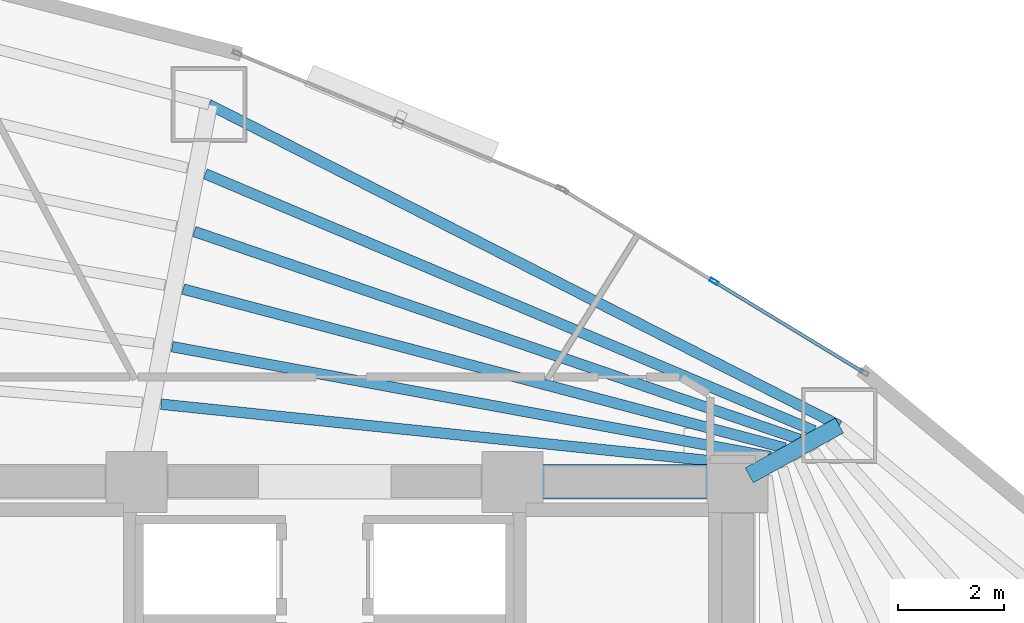
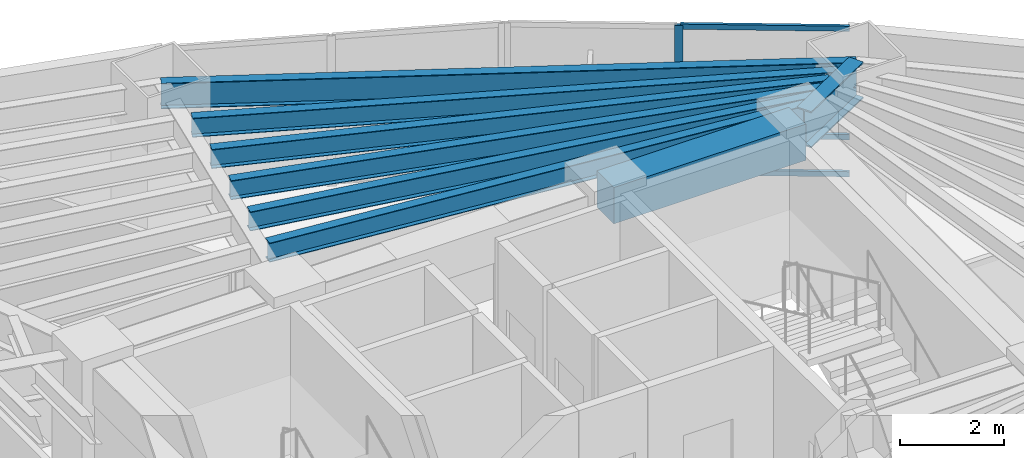
# One storey, part 10 of 18: 8 beams, 4 members, 1 element without a shape of its own.
"""IFC4 building model written with IfcOpenShell, lengths in metres."""

from ifc_helpers import new_model, si_unit, direction, frame, origin, origin_2d, place, context, subcontext, project, spatial, rectangle, hollow_rectangle, i_section, extrude, material, layer, layer_set, material_profile, profile_set, type_object, element, aggregate, save


model = new_model("IFC4")

# Units and contexts
model_context = context("Model", 3, precision=1e-05, world=origin(), true_north=direction((0.0, 1.0)))
body_context = subcontext(model_context, "Body", "Model", "MODEL_VIEW")
ifc_project = project(units=[si_unit("LENGTHUNIT", "METRE"), si_unit("AREAUNIT", "SQUARE_METRE"), si_unit("VOLUMEUNIT", "CUBIC_METRE"), si_unit("PLANEANGLEUNIT", "RADIAN"), si_unit("MASSUNIT", "GRAM", prefix="KILO")], contexts=[model_context])

# Site, building, storey
site_placement = place(None, origin())
site = spatial("IfcSite", under=ifc_project, at=site_placement, CompositionType="ELEMENT")
building_placement = place(site_placement, origin())
building = spatial("IfcBuilding", under=site, at=building_placement, Name="Menara Vayukalpa", CompositionType="ELEMENT")
storey_placement = place(building_placement, frame((0.0, 0.0, 31.320068359375)))
storey = spatial("IfcBuildingStorey", under=building, at=storey_placement, Name="L06", CompositionType="ELEMENT", Elevation=31.320068359375)

# Beams
ifc_material_1 = material(Name="Concrete C60/75", Category="concrete")
ifc_material_profile_1 = material_profile(ifc_material_1, rectangle(XDim=0.64990234375, YDim=0.85009765625, at=origin_2d()), Name="RC 650x850")
ifc_profile_set_1 = profile_set([ifc_material_profile_1], Name="Concrete C60/75")
beam_type_1 = type_object("IfcBeamType", Name="BM-CB1", PredefinedType="BEAM", material=ifc_profile_set_1)
beam_1_placement = place(storey_placement, frame((29.14990234375, 26.800048828125, 3.044921875), z_axis=(1.0, 0.0, 0.0), x_axis=(0.0, 1.0, 0.0)))
element("IfcBeam", 1, at=beam_1_placement, inside=storey, type_object=beam_type_1, Name="L06 Core Tie Beam CBR6", PredefinedType="BEAM", context=body_context, shape_type="SweptSolid", body=[
    extrude(rectangle(XDim=0.64990234375, YDim=0.85009765625, at=origin_2d()), origin(), (0.0, 0.0, 1.0), 4.25),
])
ifc_material_2 = material(Name="Steel S355", Category="steel")
ifc_material_profile_2 = material_profile(ifc_material_2, i_section(OverallWidth=0.320068359375, OverallDepth=0.85009765625, WebThickness=0.01611328125, FlangeThickness=0.030029296875, at=origin_2d()), Name="WF 850x320x16x30")
ifc_profile_set_2 = profile_set([ifc_material_profile_2], Name="Steel S355")
beam_type_2 = type_object("IfcBeamType", Name="BM-PG2", PredefinedType="BEAM", material=ifc_profile_set_2)
beam_2_placement = place(storey_placement, frame((33.61865234375, 26.921142578125, 3.044921875), z_axis=(0.87459548214, 0.484853320727, 0.0), x_axis=(-0.484853320727, 0.87459548214, 0.0)))
element("IfcBeam", 2, at=beam_2_placement, inside=storey, type_object=beam_type_2, Name="L06 Primary Radial Girder RG02", PredefinedType="BEAM", context=body_context, shape_type="SweptSolid", body=[
    extrude(i_section(OverallWidth=0.320068359375, OverallDepth=0.85009765625, WebThickness=0.01611328125, FlangeThickness=0.030029296875, at=origin_2d()), origin(), (0.0, 0.0, 1.0), 1.943115234375),
])
ifc_material_3 = material(Name="Steel S355", Category="steel")
ifc_material_profile_3 = material_profile(ifc_material_3, i_section(OverallWidth=0.199951171875, OverallDepth=0.449951171875, WebThickness=0.009033203125, FlangeThickness=0.013916015625, at=origin_2d()), Name="WF 450x200x9x14")
ifc_profile_set_3 = profile_set([ifc_material_profile_3], Name="Steel S355")
beam_type_3 = type_object("IfcBeamType", Name="BM-SJ1", PredefinedType="JOIST", material=ifc_profile_set_3)
beam_3_placement = place(storey_placement, frame((33.74560546875, 27.109130859375, 3.244873046875), z_axis=(-0.994746828953, 0.102365747631, 0.0), x_axis=(-0.102365747631, -0.994746828953, 0.0)))
element("IfcBeam", 3, at=beam_3_placement, inside=storey, type_object=beam_type_3, Name="L06 Secondary Floor Joist SJ02-1", PredefinedType="JOIST", context=body_context, shape_type="SweptSolid", body=[
    extrude(i_section(OverallWidth=0.199951171875, OverallDepth=0.449951171875, WebThickness=0.009033203125, FlangeThickness=0.013916015625, at=origin_2d()), origin(), (0.0, 0.0, 1.0), 11.29052734375),
])
beam_4_placement = place(storey_placement, frame((34.019287109375, 27.27392578125, 3.244873046875), z_axis=(-0.983504975359, 0.180881075419, 0.0), x_axis=(-0.180881075419, -0.983504975359, 0.0)))
element("IfcBeam", 4, at=beam_4_placement, inside=storey, type_object=beam_type_3, Name="L06 Secondary Floor Joist SJ02-2", PredefinedType="JOIST", context=body_context, shape_type="SweptSolid", body=[
    extrude(i_section(OverallWidth=0.199951171875, OverallDepth=0.449951171875, WebThickness=0.009033203125, FlangeThickness=0.013916015625, at=origin_2d()), origin(), (0.0, 0.0, 1.0), 11.48486328125),
])
beam_5_placement = place(storey_placement, frame((34.294189453125, 27.438232421875, 3.244873046875), z_axis=(-0.966863757537, 0.255292918746, 0.0), x_axis=(-0.255292918746, -0.966863757537, 0.0)))
element("IfcBeam", 5, at=beam_5_placement, inside=storey, type_object=beam_type_3, Name="L06 Secondary Floor Joist SJ02-3", PredefinedType="JOIST", context=body_context, shape_type="SweptSolid", body=[
    extrude(i_section(OverallWidth=0.199951171875, OverallDepth=0.449951171875, WebThickness=0.009033203125, FlangeThickness=0.013916015625, at=origin_2d()), origin(), (0.0, 0.0, 1.0), 11.751220703125),
])
beam_6_placement = place(storey_placement, frame((34.570068359375, 27.601318359375, 3.244873046875), z_axis=(-0.945794261669, 0.324766400038, 0.0), x_axis=(-0.324766400038, -0.945794261669, 0.0)))
element("IfcBeam", 6, at=beam_6_placement, inside=storey, type_object=beam_type_3, Name="L06 Secondary Floor Joist SJ02-4", PredefinedType="JOIST", context=body_context, shape_type="SweptSolid", body=[
    extrude(i_section(OverallWidth=0.199951171875, OverallDepth=0.449951171875, WebThickness=0.009033203125, FlangeThickness=0.013916015625, at=origin_2d()), origin(), (0.0, 0.0, 1.0), 12.0849609375),
])
beam_7_placement = place(storey_placement, frame((34.84619140625, 27.763671875, 3.244873046875), z_axis=(-0.921359344435, 0.38871192215, 0.0), x_axis=(-0.38871192215, -0.921359344435, 0.0)))
element("IfcBeam", 7, at=beam_7_placement, inside=storey, type_object=beam_type_3, Name="L06 Secondary Floor Joist SJ02-5", PredefinedType="JOIST", context=body_context, shape_type="SweptSolid", body=[
    extrude(i_section(OverallWidth=0.199951171875, OverallDepth=0.449951171875, WebThickness=0.009033203125, FlangeThickness=0.013916015625, at=origin_2d()), origin(), (0.0, 0.0, 1.0), 12.48046875),
])
ifc_material_4 = material(Name="Steel S355", Category="steel")
ifc_material_profile_4 = material_profile(ifc_material_4, i_section(OverallWidth=0.199951171875, OverallDepth=0.60009765625, WebThickness=0.010986328125, FlangeThickness=0.01708984375, at=origin_2d()), Name="WF 600x200x11x17")
ifc_profile_set_4 = profile_set([ifc_material_profile_4], Name="Steel S355")
beam_type_4 = type_object("IfcBeamType", Name="BM-SP1", PredefinedType="SPANDREL", material=ifc_profile_set_4)
beam_8_placement = place(storey_placement, frame((35.318115234375, 27.86328125, 3.169921875), z_axis=(-0.891100743313, 0.453805536841, 0.0), x_axis=(-0.453805536841, -0.891100743313, 0.0)))
element("IfcBeam", 8, at=beam_8_placement, inside=storey, type_object=beam_type_4, Name="L06 Perimeter Spandrel Beam SP02", PredefinedType="SPANDREL", context=body_context, shape_type="SweptSolid", body=[
    extrude(i_section(OverallWidth=0.199951171875, OverallDepth=0.60009765625, WebThickness=0.010986328125, FlangeThickness=0.01708984375, at=origin_2d()), origin(), (0.0, 0.0, 1.0), 13.352783203125),
])

# Curtain wall, members
ifc_material_5 = material(Name="Anodised Terracotta Aluminium Alloy 6063-T6", Category="masonry")
ifc_layer = layer(ifc_material_5, 0.1650390625)
ifc_layer_set = layer_set([ifc_layer], Name="Anodised Terracotta Aluminium Alloy 6063-T6")
curtain_wall_type = type_object("IfcCurtainWallType", Name="CW-CW2", PredefinedType="USERDEFINED", material=ifc_layer_set)
curtain_wall_placement = place(storey_placement, origin())
curtain_wall = element("IfcCurtainWall", 9, at=curtain_wall_placement, inside=storey, type_object=curtain_wall_type, Name="L06 Low Rise Terracotta Ribbon Curtain Wall CW2 04", ObjectType="UNITISED", PredefinedType="USERDEFINED")
ifc_material_6 = material(Name="Anodised Terracotta Aluminium Alloy 6063-T6", Category="masonry")
ifc_material_profile_5 = material_profile(ifc_material_6, hollow_rectangle(XDim=0.070068359375, YDim=0.1650390625, WallThickness=0.00390625, at=origin_2d()), Name="ALU 70x165x4")
ifc_profile_set_5 = profile_set([ifc_material_profile_5], Name="Anodised Terracotta Aluminium Alloy 6063-T6")
member_type_1 = type_object("IfcMemberType", Name="CWM-CW2", PredefinedType="MULLION", material=ifc_profile_set_5)
member_1_placement = place(storey_placement, frame((32.9560546875, 30.581298828125, 0.0), z_axis=(0.0, 0.0, 1.0), x_axis=(-0.519181964377, -0.854663727945, 0.0)))
member_1 = element("IfcMember", 10, at=member_1_placement, type_object=member_type_1, Name="CW2 mullion 2", PredefinedType="MULLION", context=body_context, shape_type="SweptSolid", body=[
    extrude(hollow_rectangle(XDim=0.070068359375, YDim=0.1650390625, WallThickness=0.00390625, at=origin_2d()), origin(), (0.0, 0.0, 1.0), 3.469970703125),
])
ifc_material_7 = material(Name="Anodised Terracotta Aluminium Alloy 6063-T6", Category="masonry")
ifc_material_profile_6 = material_profile(ifc_material_7, hollow_rectangle(XDim=0.06494140625, YDim=0.1201171875, WallThickness=0.00341796875, at=origin_2d()), Name="ALU 65x120x3.5")
ifc_profile_set_6 = profile_set([ifc_material_profile_6], Name="Anodised Terracotta Aluminium Alloy 6063-T6")
member_type_2 = type_object("IfcMemberType", Name="CWT-CW2", PredefinedType="USERDEFINED", material=ifc_profile_set_6)
member_2_placement = place(storey_placement, frame((35.75732421875, 28.879638671875, 0.032470703125), z_axis=(-0.854643142641, 0.519215849851, 0.0), x_axis=(-0.519215849851, -0.854643142641, 0.0)))
member_2 = element("IfcMember", 11, at=member_2_placement, type_object=member_type_2, Name="CW2 transom 1.1", ObjectType="TRANSOM", PredefinedType="USERDEFINED", context=body_context, shape_type="SweptSolid", body=[
    extrude(hollow_rectangle(XDim=0.06494140625, YDim=0.1201171875, WallThickness=0.00341796875, at=origin_2d()), origin(), (0.0, 0.0, 1.0), 3.24267578125),
])
member_3_placement = place(storey_placement, frame((35.75732421875, 28.879638671875, 0.89990234375), z_axis=(-0.854643142641, 0.519215849851, 0.0), x_axis=(-0.519215849851, -0.854643142641, 0.0)))
member_3 = element("IfcMember", 12, at=member_3_placement, type_object=member_type_2, Name="CW2 transom 1.2", ObjectType="TRANSOM", PredefinedType="USERDEFINED", context=body_context, shape_type="SweptSolid", body=[
    extrude(hollow_rectangle(XDim=0.06494140625, YDim=0.1201171875, WallThickness=0.00341796875, at=origin_2d()), origin(), (0.0, 0.0, 1.0), 3.24267578125),
])
member_4_placement = place(storey_placement, frame((35.75732421875, 28.879638671875, 3.4375), z_axis=(-0.854643142641, 0.519215849851, 0.0), x_axis=(-0.519215849851, -0.854643142641, 0.0)))
member_4 = element("IfcMember", 13, at=member_4_placement, type_object=member_type_2, Name="CW2 transom 1.3", ObjectType="TRANSOM", PredefinedType="USERDEFINED", context=body_context, shape_type="SweptSolid", body=[
    extrude(hollow_rectangle(XDim=0.06494140625, YDim=0.1201171875, WallThickness=0.00341796875, at=origin_2d()), origin(), (0.0, 0.0, 1.0), 3.24267578125),
])
aggregate(curtain_wall, [member_1, member_2, member_3, member_4])

save(model, "model.ifc")
